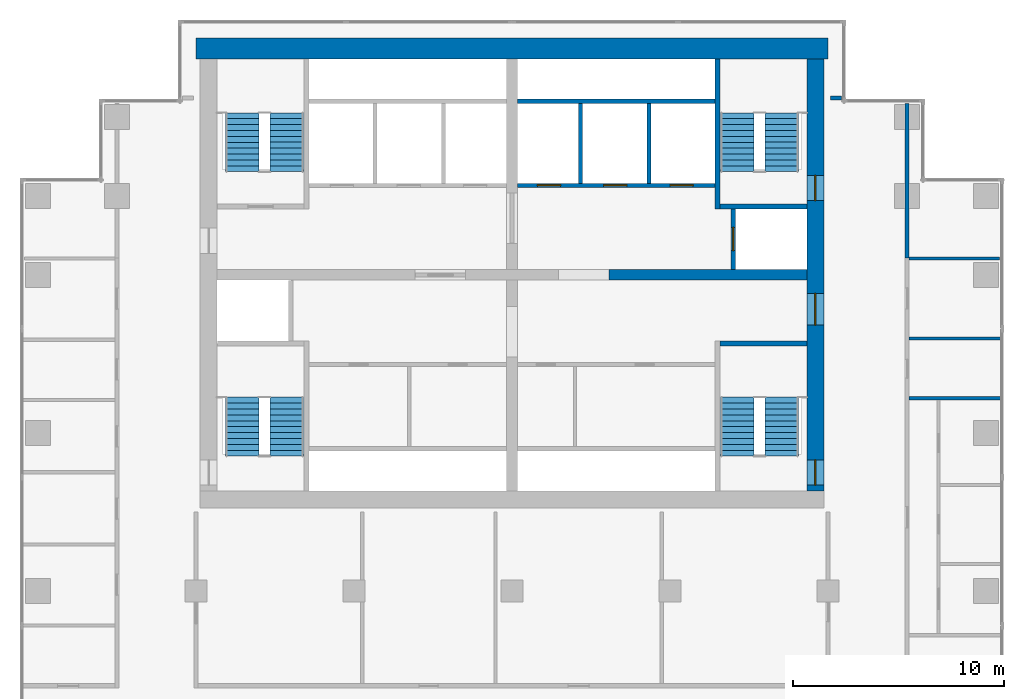
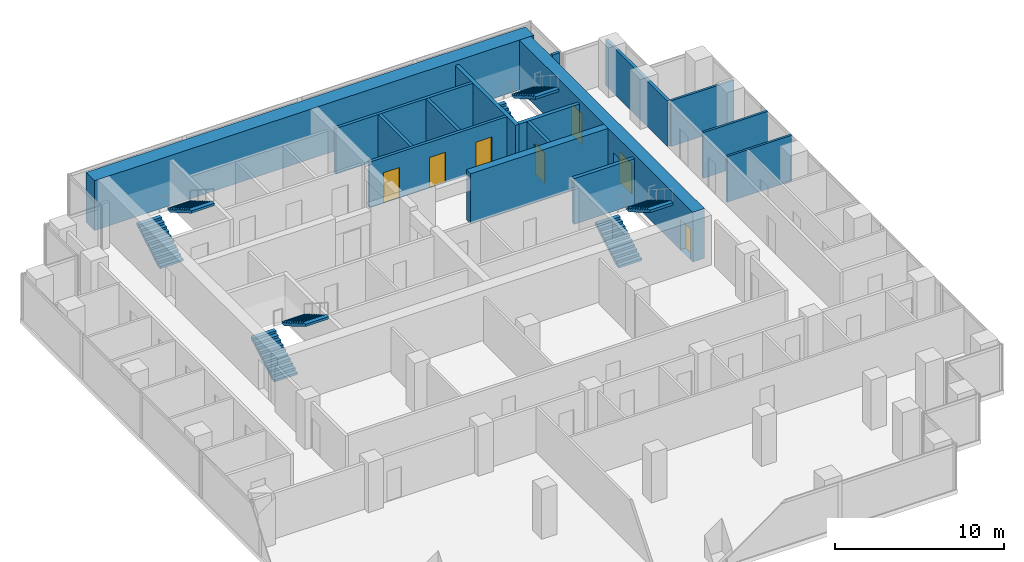
# One storey, part 9 of 10: 16 walls, 8 stair flights, 7 doors, 7 openings, 4 elements without a shape of their own.
"""IFC4 building model written with IfcOpenShell, lengths in metres."""

from ifc_helpers import new_model, si_unit, direction, frame, frame_2d, origin, place, context, subcontext, project, spatial, polyline, rectangle, outline, extrude, material, layer, layer_set, type_object, element, fill, aggregate, save


model = new_model("IFC4")

# Units and contexts
model_context = context("Model", 3, precision=1e-05, world=origin(), true_north=direction((0.0, 1.0)))
body_context = subcontext(model_context, "Body", "Model", "MODEL_VIEW")
ifc_project = project(units=[si_unit("LENGTHUNIT", "METRE"), si_unit("AREAUNIT", "SQUARE_METRE"), si_unit("VOLUMEUNIT", "CUBIC_METRE"), si_unit("PLANEANGLEUNIT", "RADIAN"), si_unit("MASSUNIT", "GRAM", prefix="KILO")], contexts=[model_context])

# Site, building, storey
site_placement = place(None, origin())
site = spatial("IfcSite", under=ifc_project, at=site_placement, CompositionType="ELEMENT")
building_placement = place(site_placement, origin())
building = spatial("IfcBuilding", under=site, at=building_placement, Name="Pilkhan Gate Tower", CompositionType="ELEMENT")
storey_placement = place(building_placement, frame((0.0, 0.0, 165.699951171875)))
storey = spatial("IfcBuildingStorey", under=building, at=storey_placement, Name="L42", CompositionType="ELEMENT", Elevation=165.699951171875)

# Wall
ifc_material_1 = material(Name="Concrete C60/75", Category="concrete")
ifc_layer_1 = layer(ifc_material_1, 1.0)
ifc_layer_set_1 = layer_set([ifc_layer_1], Name="Core wall CW1000 C60/75")
wall_type_1 = type_object("IfcWallType", Name="Core wall CW1000 C60/75", PredefinedType="SHEAR", material=ifc_layer_set_1)
wall_1_placement = place(storey_placement, frame((90.0, 93.25, 0.0), z_axis=(0.0, 0.0, 1.0), x_axis=(-1.0, 0.0, 0.0)))
element("IfcWall", 1, at=wall_1_placement, inside=storey, type_object=wall_type_1, Name="Core wall N L42", PredefinedType="SHEAR", context=body_context, shape_type="SweptSolid", body=[
    extrude(rectangle(XDim=30.0, YDim=1.0, at=frame_2d((15.0, 0.0))), origin(), (0.0, 0.0, 1.0), 3.60009765625),
])

# Wall, openings, doors
ifc_layer_2 = layer(ifc_material_1, 0.800048828125)
ifc_layer_set_2 = layer_set([ifc_layer_2], Name="Core wall CW800 C60/75")
wall_type_2 = type_object("IfcWallType", Name="Core wall CW800 C60/75", PredefinedType="SHEAR", material=ifc_layer_set_2)
wall_2_placement = place(storey_placement, frame((89.39990234375, 72.25, 0.0), z_axis=(0.0, 0.0, 1.0), x_axis=(0.0, 1.0, 0.0)))
wall_2 = element("IfcWall", 2, at=wall_2_placement, inside=storey, type_object=wall_type_2, Name="Core wall E L42", PredefinedType="SHEAR", context=body_context, shape_type="SweptSolid", body=[
    extrude(rectangle(XDim=20.5, YDim=0.800048828125, at=frame_2d((10.25, 0.0))), origin(), (0.0, 0.0, 1.0), 3.60009765625),
])
opening_1_placement = place(wall_2_placement, frame((0.27490234375, 0.0, 0.0)))
opening_1 = element("IfcOpeningElement", 3, at=opening_1_placement, cuts=wall_2, Name="Opening L42-03", PredefinedType="OPENING", context=body_context, shape_type="SweptSolid", body=[
    extrude(rectangle(XDim=1.199951171875, YDim=2.199951171875, at=frame_2d((0.60009765625, 1.10009765625))), frame((0.0, 0.409912109375, 0.0), z_axis=(0.0, -1.0, 0.0), x_axis=(1.0, 0.0, 0.0)), (0.0, 0.0, 1.0), 0.820068359375),
])
opening_2_placement = place(wall_2_placement, frame((13.77490234375, 0.0, 0.0)))
opening_2 = element("IfcOpeningElement", 4, at=opening_2_placement, cuts=wall_2, Name="Opening L42-05", PredefinedType="OPENING", context=body_context, shape_type="SweptSolid", body=[
    extrude(rectangle(XDim=1.199951171875, YDim=2.199951171875, at=frame_2d((0.60009765625, 1.10009765625))), frame((0.0, 0.409912109375, 0.0), z_axis=(0.0, -1.0, 0.0), x_axis=(1.0, 0.0, 0.0)), (0.0, 0.0, 1.0), 0.820068359375),
])
opening_3_placement = place(wall_2_placement, frame((7.875, 0.0, 0.0)))
opening_3 = element("IfcOpeningElement", 5, at=opening_3_placement, cuts=wall_2, Name="Opening L42-12", PredefinedType="OPENING", context=body_context, shape_type="SweptSolid", body=[
    extrude(rectangle(XDim=1.5, YDim=2.199951171875, at=frame_2d((0.75, 1.10009765625))), frame((0.0, 0.409912109375, 0.0), z_axis=(0.0, -1.0, 0.0), x_axis=(1.0, 0.0, 0.0)), (0.0, 0.0, 1.0), 0.820068359375),
])
ifc_material_2 = material(Name="Steel framed glazed door, 60 minute fire resisting", Category="steel")
door_type_1 = type_object("IfcDoorType", Name="Lobby door D09 1500x2200", OperationType="DOUBLE_DOOR_SINGLE_SWING", PredefinedType="DOOR", material=ifc_material_2)
door_1_placement = place(opening_3_placement, origin())
door_1 = element("IfcDoor", 6, at=door_1_placement, inside=storey, type_object=door_type_1, Name="Core door", OperationType="DOUBLE_DOOR_SINGLE_SWING", OverallHeight=2.199951171875, OverallWidth=1.5, PredefinedType="DOOR", context=body_context, shape_type="SweptSolid", body=[
    extrude(rectangle(XDim=1.5, YDim=2.199951171875, at=frame_2d((0.75, 1.10009765625))), frame((0.0, 0.02490234375, 0.0), z_axis=(0.0, -1.0, 0.0), x_axis=(1.0, 0.0, 0.0)), (0.0, 0.0, 1.0), 0.050048828125),
])
fill(opening_3, door_1)
ifc_material_3 = material(Name="Steel door, 120 minute fire resisting, panic bar", Category="steel")
door_type_2 = type_object("IfcDoorType", Name="Stair door D11 1200x2200", OperationType="SINGLE_SWING_LEFT", PredefinedType="DOOR", material=ifc_material_3)
door_2_placement = place(opening_1_placement, origin())
door_2 = element("IfcDoor", 7, at=door_2_placement, inside=storey, type_object=door_type_2, Name="Stair ST1 door", OperationType="SINGLE_SWING_LEFT", OverallHeight=2.199951171875, OverallWidth=1.199951171875, PredefinedType="DOOR", context=body_context, shape_type="SweptSolid", body=[
    extrude(rectangle(XDim=1.199951171875, YDim=2.199951171875, at=frame_2d((0.60009765625, 1.10009765625))), frame((0.0, 0.02490234375, 0.0), z_axis=(0.0, -1.0, 0.0), x_axis=(1.0, 0.0, 0.0)), (0.0, 0.0, 1.0), 0.050048828125),
])
fill(opening_1, door_2)
door_3_placement = place(opening_2_placement, origin())
door_3 = element("IfcDoor", 8, at=door_3_placement, inside=storey, type_object=door_type_2, Name="Stair ST4 door", OperationType="SINGLE_SWING_LEFT", OverallHeight=2.199951171875, OverallWidth=1.199951171875, PredefinedType="DOOR", context=body_context, shape_type="SweptSolid", body=[
    extrude(rectangle(XDim=1.199951171875, YDim=2.199951171875, at=frame_2d((0.60009765625, 1.10009765625))), frame((0.0, 0.02490234375, 0.0), z_axis=(0.0, -1.0, 0.0), x_axis=(1.0, 0.0, 0.0)), (0.0, 0.0, 1.0), 0.050048828125),
])
fill(opening_2, door_3)

# Walls
ifc_material_4 = material(Name="Dense blockwork", Category="masonry")
ifc_layer_3 = layer(ifc_material_4, 0.199951171875)
ifc_layer_set_3 = layer_set([ifc_layer_3], Name="Corridor wall FW200")
wall_type_3 = type_object("IfcWallType", Name="Corridor wall FW200", PredefinedType="PARTITIONING", material=ifc_layer_set_3)
wall_3_placement = place(storey_placement, frame((90.1201171875, 90.89990234375, 0.0), z_axis=(0.0, 0.0, 1.0), x_axis=(1.0, 0.0, 0.0)))
element("IfcWall", 9, at=wall_3_placement, inside=storey, type_object=wall_type_3, Name="Partition L42", PredefinedType="PARTITIONING", context=body_context, shape_type="SweptSolid", body=[
    extrude(rectangle(XDim=0.52490234375, YDim=0.199951171875, at=frame_2d((0.262451171875, 0.0))), origin(), (0.0, 0.0, 1.0), 3.300048828125),
])
wall_4_placement = place(storey_placement, frame((93.75, 83.31005859375, 0.0), z_axis=(0.0, 0.0, 1.0), x_axis=(0.0, 1.0, 0.0)))
element("IfcWall", 10, at=wall_4_placement, inside=storey, type_object=wall_type_3, Name="Partition L42", PredefinedType="PARTITIONING", context=body_context, shape_type="SweptSolid", body=[
    extrude(rectangle(XDim=7.3349609375, YDim=0.199951171875, at=frame_2d((3.66748046875, 0.0))), origin(), (0.0, 0.0, 1.0), 3.300048828125),
])
ifc_material_5 = material(Name="Blockwork partition, plastered both sides", Category="masonry")
ifc_layer_4 = layer(ifc_material_5, 0.14990234375)
ifc_layer_set_4 = layer_set([ifc_layer_4], Name="Partition PW150")
wall_type_4 = type_object("IfcWallType", Name="Partition PW150", PredefinedType="PARTITIONING", material=ifc_layer_set_4)
for number, where, z_axis, x_axis, name in (
    (11, (93.85009765625, 76.64990234375, 0.0), (0.0, 0.0, 1.0), (1.0, 0.0, 0.0), "Partition L42"),
    (12, (93.85009765625, 79.490966796875, 0.0), (0.0, 0.0, 1.0), (1.0, 0.0, 0.0), "Partition L42"),
):
    element("IfcWall", number, at=place(storey_placement, frame(where, z_axis=z_axis, x_axis=x_axis)), inside=storey, type_object=wall_type_4, Name=name, PredefinedType="PARTITIONING", context=body_context, shape_type="SweptSolid", body=[
        extrude(rectangle(XDim=4.414794921875, YDim=0.14990234375, at=frame_2d((2.20751953125, 0.0))), origin(), (0.0, 0.0, 1.0), 3.300048828125),
    ])
wall_5_placement = place(storey_placement, frame((93.85009765625, 83.280029296875, 0.0), z_axis=(0.0, 0.0, 1.0), x_axis=(1.0, 0.0, 0.0)))
element("IfcWall", 13, at=wall_5_placement, inside=storey, type_object=wall_type_4, Name="Partition L42", PredefinedType="PARTITIONING", context=body_context, shape_type="SweptSolid", body=[
    extrude(rectangle(XDim=4.294921875, YDim=0.14990234375, at=frame_2d((2.1474609375, 0.0))), origin(), (0.0, 0.0, 1.0), 3.300048828125),
])

# Wall, openings, doors
ifc_material_6 = material(Name="Reinforced blockwork shaft wall, 120 minute fire resisting", Category="masonry")
ifc_layer_5 = layer(ifc_material_6, 0.199951171875)
ifc_layer_set_5 = layer_set([ifc_layer_5], Name="Shaft wall SW200")
wall_type_5 = type_object("IfcWallType", Name="Shaft wall SW200", PredefinedType="PARTITIONING", material=ifc_layer_set_5)
wall_6_placement = place(storey_placement, frame((75.260009765625, 86.75, 0.0), z_axis=(0.0, 0.0, 1.0), x_axis=(1.0, 0.0, 0.0)))
wall_6 = element("IfcWall", 14, at=wall_6_placement, inside=storey, type_object=wall_type_5, Name="Partition L42", PredefinedType="PARTITIONING", context=body_context, shape_type="SweptSolid", body=[
    extrude(rectangle(XDim=9.364990234375, YDim=0.199951171875, at=frame_2d((4.6826171875, 0.0))), origin(), (0.0, 0.0, 1.0), 3.300048828125),
])
opening_4_placement = place(wall_6_placement, frame((0.949951171875, 0.0, 0.0)))
opening_4 = element("IfcOpeningElement", 15, at=opening_4_placement, cuts=wall_6, Name="Opening LD", PredefinedType="OPENING", context=body_context, shape_type="SweptSolid", body=[
    extrude(rectangle(XDim=1.10009765625, YDim=2.199951171875, at=frame_2d((0.550048828125, 1.10009765625))), frame((0.0, 0.10986328125, 0.0), z_axis=(0.0, -1.0, 0.0), x_axis=(1.0, 0.0, 0.0)), (0.0, 0.0, 1.0), 0.219970703125),
])
opening_5_placement = place(wall_6_placement, frame((4.090087890625, 0.0, 0.0)))
opening_5 = element("IfcOpeningElement", 16, at=opening_5_placement, cuts=wall_6, Name="Opening LD", PredefinedType="OPENING", context=body_context, shape_type="SweptSolid", body=[
    extrude(rectangle(XDim=1.10009765625, YDim=2.199951171875, at=frame_2d((0.550048828125, 1.10009765625))), frame((0.0, 0.10986328125, 0.0), z_axis=(0.0, -1.0, 0.0), x_axis=(1.0, 0.0, 0.0)), (0.0, 0.0, 1.0), 0.219970703125),
])
opening_6_placement = place(wall_6_placement, frame((7.239990234375, 0.0, 0.0)))
opening_6 = element("IfcOpeningElement", 17, at=opening_6_placement, cuts=wall_6, Name="Opening LD", PredefinedType="OPENING", context=body_context, shape_type="SweptSolid", body=[
    extrude(rectangle(XDim=1.10009765625, YDim=2.199951171875, at=frame_2d((0.550048828125, 1.10009765625))), frame((0.0, 0.10986328125, 0.0), z_axis=(0.0, -1.0, 0.0), x_axis=(1.0, 0.0, 0.0)), (0.0, 0.0, 1.0), 0.219970703125),
])
ifc_material_7 = material(Name="Stainless steel centre-opening landing door, 120 minute fire resisting", Category="steel")
door_type_3 = type_object("IfcDoorType", Name="Lift landing door LD 1100x2200", OperationType="DOUBLE_DOOR_SLIDING", PredefinedType="DOOR", material=ifc_material_7)
door_4_placement = place(opening_4_placement, origin())
door_4 = element("IfcDoor", 18, at=door_4_placement, inside=storey, type_object=door_type_3, Name="Landing door HR1", OperationType="DOUBLE_DOOR_SLIDING", OverallHeight=2.199951171875, OverallWidth=1.10009765625, PredefinedType="DOOR", context=body_context, shape_type="SweptSolid", body=[
    extrude(rectangle(XDim=1.10009765625, YDim=2.199951171875, at=frame_2d((0.550048828125, 1.10009765625))), frame((0.0, 0.02490234375, 0.0), z_axis=(0.0, -1.0, 0.0), x_axis=(1.0, 0.0, 0.0)), (0.0, 0.0, 1.0), 0.050048828125),
])
fill(opening_4, door_4)
door_5_placement = place(opening_5_placement, origin())
door_5 = element("IfcDoor", 19, at=door_5_placement, inside=storey, type_object=door_type_3, Name="Landing door HR2", OperationType="DOUBLE_DOOR_SLIDING", OverallHeight=2.199951171875, OverallWidth=1.10009765625, PredefinedType="DOOR", context=body_context, shape_type="SweptSolid", body=[
    extrude(rectangle(XDim=1.10009765625, YDim=2.199951171875, at=frame_2d((0.550048828125, 1.10009765625))), frame((0.0, 0.02490234375, 0.0), z_axis=(0.0, -1.0, 0.0), x_axis=(1.0, 0.0, 0.0)), (0.0, 0.0, 1.0), 0.050048828125),
])
fill(opening_5, door_5)
door_6_placement = place(opening_6_placement, origin())
door_6 = element("IfcDoor", 20, at=door_6_placement, inside=storey, type_object=door_type_3, Name="Landing door HR3", OperationType="DOUBLE_DOOR_SLIDING", OverallHeight=2.199951171875, OverallWidth=1.10009765625, PredefinedType="DOOR", context=body_context, shape_type="SweptSolid", body=[
    extrude(rectangle(XDim=1.10009765625, YDim=2.199951171875, at=frame_2d((0.550048828125, 1.10009765625))), frame((0.0, 0.02490234375, 0.0), z_axis=(0.0, -1.0, 0.0), x_axis=(1.0, 0.0, 0.0)), (0.0, 0.0, 1.0), 0.050048828125),
])
fill(opening_6, door_6)

# Walls
wall_7_placement = place(storey_placement, frame((75.260009765625, 90.75, 0.0), z_axis=(0.0, 0.0, 1.0), x_axis=(1.0, 0.0, 0.0)))
element("IfcWall", 21, at=wall_7_placement, inside=storey, type_object=wall_type_5, Name="Partition L42", PredefinedType="PARTITIONING", context=body_context, shape_type="SweptSolid", body=[
    extrude(rectangle(XDim=9.364990234375, YDim=0.199951171875, at=frame_2d((4.6826171875, 0.0))), origin(), (0.0, 0.0, 1.0), 3.300048828125),
])
for number, where, z_axis, x_axis, name in (
    (22, (78.25, 86.85009765625, 0.0), (0.0, 0.0, 1.0), (0.0, 1.0, 0.0), "Partition L42"),
    (23, (81.5, 86.85009765625, 0.0), (0.0, 0.0, 1.0), (0.0, 1.0, 0.0), "Partition L42"),
):
    element("IfcWall", number, at=place(storey_placement, frame(where, z_axis=z_axis, x_axis=x_axis)), inside=storey, type_object=wall_type_5, Name=name, PredefinedType="PARTITIONING", context=body_context, shape_type="SweptSolid", body=[
        extrude(rectangle(XDim=3.7998046875, YDim=0.199951171875, at=frame_2d((1.89990234375, 0.0))), origin(), (0.0, 0.0, 1.0), 3.300048828125),
    ])

# Wall, opening, door
wall_8_placement = place(storey_placement, frame((85.5, 82.760009765625, 0.0), z_axis=(0.0, 0.0, 1.0), x_axis=(0.0, 1.0, 0.0)))
wall_8 = element("IfcWall", 24, at=wall_8_placement, inside=storey, type_object=wall_type_5, Name="Partition L42", PredefinedType="PARTITIONING", context=body_context, shape_type="SweptSolid", body=[
    extrude(rectangle(XDim=2.864990234375, YDim=0.199951171875, at=frame_2d((1.4326171875, 0.0))), origin(), (0.0, 0.0, 1.0), 3.300048828125),
])
opening_7_placement = place(wall_8_placement, frame((0.89990234375, 0.0, 0.0)))
opening_7 = element("IfcOpeningElement", 25, at=opening_7_placement, cuts=wall_8, Name="Opening LD", PredefinedType="OPENING", context=body_context, shape_type="SweptSolid", body=[
    extrude(rectangle(XDim=1.10009765625, YDim=2.199951171875, at=frame_2d((0.550048828125, 1.10009765625))), frame((0.0, 0.10986328125, 0.0), z_axis=(0.0, -1.0, 0.0), x_axis=(1.0, 0.0, 0.0)), (0.0, 0.0, 1.0), 0.219970703125),
])
door_7_placement = place(opening_7_placement, origin())
door_7 = element("IfcDoor", 26, at=door_7_placement, inside=storey, type_object=door_type_3, Name="Landing door HR4", OperationType="DOUBLE_DOOR_SLIDING", OverallHeight=2.199951171875, OverallWidth=1.10009765625, PredefinedType="DOOR", context=body_context, shape_type="SweptSolid", body=[
    extrude(rectangle(XDim=1.10009765625, YDim=2.199951171875, at=frame_2d((0.550048828125, 1.10009765625))), frame((0.0, 0.02490234375, 0.0), z_axis=(0.0, -1.0, 0.0), x_axis=(1.0, 0.0, 0.0)), (0.0, 0.0, 1.0), 0.050048828125),
])
fill(opening_7, door_7)

# Walls
ifc_layer_6 = layer(ifc_material_1, 0.5)
ifc_layer_set_6 = layer_set([ifc_layer_6], Name="Spine wall SW500 C60/75")
wall_type_6 = type_object("IfcWallType", Name="Spine wall SW500 C60/75", PredefinedType="SHEAR", material=ifc_layer_set_6)
wall_9_placement = place(storey_placement, frame((79.60009765625, 82.5, 0.0), z_axis=(0.0, 0.0, 1.0), x_axis=(1.0, 0.0, 0.0)))
element("IfcWall", 27, at=wall_9_placement, inside=storey, type_object=wall_type_6, Name="Spine wall SP-EW3 L42", PredefinedType="SHEAR", context=body_context, shape_type="SweptSolid", body=[
    extrude(rectangle(XDim=9.39990234375, YDim=0.5, at=frame_2d((4.699951171875, 0.0))), origin(), (0.0, 0.0, 1.0), 3.60009765625),
])
ifc_material_8 = material(Name="Reinforced blockwork, 120 minute fire resisting", Category="masonry")
ifc_layer_7 = layer(ifc_material_8, 0.25)
ifc_layer_set_7 = layer_set([ifc_layer_7], Name="Stair enclosure wall SE250")
wall_type_7 = type_object("IfcWallType", Name="Stair enclosure wall SE250", PredefinedType="PARTITIONING", material=ifc_layer_set_7)
for number, where, z_axis, x_axis, name in (
    (28, (84.875, 79.25, 0.0), (0.0, 0.0, 1.0), (1.0, 0.0, 0.0), "Partition L42"),
    (29, (84.875, 85.75, 0.0), (0.0, 0.0, 1.0), (1.0, 0.0, 0.0), "Partition L42"),
):
    element("IfcWall", number, at=place(storey_placement, frame(where, z_axis=z_axis, x_axis=x_axis)), inside=storey, type_object=wall_type_7, Name=name, PredefinedType="PARTITIONING", context=body_context, shape_type="SweptSolid", body=[
        extrude(rectangle(XDim=4.125, YDim=0.25, at=frame_2d((2.0625, 0.0))), origin(), (0.0, 0.0, 1.0), 3.300048828125),
    ])
wall_10_placement = place(storey_placement, frame((84.75, 85.625, 0.0), z_axis=(0.0, 0.0, 1.0), x_axis=(0.0, 1.0, 0.0)))
element("IfcWall", 30, at=wall_10_placement, inside=storey, type_object=wall_type_7, Name="Partition L42", PredefinedType="PARTITIONING", context=body_context, shape_type="SweptSolid", body=[
    extrude(rectangle(XDim=7.114990234375, YDim=0.25, at=frame_2d((3.5576171875, 0.0))), origin(), (0.0, 0.0, 1.0), 3.300048828125),
])

# Stair, stair flights
ifc_material_9 = material(Name="Concrete C40/50 precast", Category="concrete")
stair_type_1 = type_object("IfcStairType", Name="Stair ST1 164x280", PredefinedType="HALF_TURN_STAIR", material=ifc_material_9)
stair_1_placement = place(storey_placement, origin())
stair_1 = element("IfcStair", 31, at=stair_1_placement, inside=storey, type_object=stair_type_1, Name="Stair ST1 L42", PredefinedType="HALF_TURN_STAIR")
stair_flight_type_1 = type_object("IfcStairFlightType", Name="Stair flight ST1 164x280x11", PredefinedType="STRAIGHT", material=ifc_material_9)
stair_flight_1_placement = place(storey_placement, frame((85.68994140625, 73.89990234375, 0.0), z_axis=(0.0, 0.0, 1.0), x_axis=(0.0, 1.0, 0.0)))
stair_flight_1 = element("IfcStairFlight", 32, at=stair_flight_1_placement, type_object=stair_flight_type_1, Name="ST1 flight 1", NumberOfRisers=11, NumberOfTreads=10, PredefinedType="STRAIGHT", RiserHeight=0.163636364, TreadLength=0.28, context=body_context, shape_type="SweptSolid", body=[
    extrude(outline(polyline([(0.0, 0.0), (0.0, 0.16357421875), (0.280029296875, 0.16357421875), (0.280029296875, 0.327392578125), (0.56005859375, 0.327392578125), (0.56005859375, 0.490966796875), (0.840087890625, 0.490966796875), (0.840087890625, 0.654541015625), (1.1201171875, 0.654541015625), (1.1201171875, 0.818115234375), (1.39990234375, 0.818115234375), (1.39990234375, 0.98193359375), (1.679931640625, 0.98193359375), (1.679931640625, 1.1455078125), (1.9599609375, 1.1455078125), (1.9599609375, 1.30908203125), (2.239990234375, 1.30908203125), (2.239990234375, 1.47265625), (2.52001953125, 1.47265625), (2.52001953125, 1.636474609375), (2.800048828125, 1.636474609375), (2.800048828125, 1.800048828125), (2.800048828125, 1.462646484375), (0.297119140625, 0.0), (0.0, 0.0)])), frame((0.0, 0.7900390625, 0.0), z_axis=(0.0, -1.0, 0.0), x_axis=(1.0, 0.0, 0.0)), (0.0, 0.0, 1.0), 1.580078125),
])
stair_flight_2_placement = place(storey_placement, frame((87.81005859375, 76.699951171875, 1.800048828125), z_axis=(0.0, 0.0, 1.0), x_axis=(0.0, -1.0, 0.0)))
stair_flight_2 = element("IfcStairFlight", 33, at=stair_flight_2_placement, type_object=stair_flight_type_1, Name="ST1 flight 2", NumberOfRisers=11, NumberOfTreads=10, PredefinedType="STRAIGHT", RiserHeight=0.163636364, TreadLength=0.28, context=body_context, shape_type="SweptSolid", body=[
    extrude(outline(polyline([(0.0, 0.0), (0.0, 0.16357421875), (0.280029296875, 0.16357421875), (0.280029296875, 0.327392578125), (0.56005859375, 0.327392578125), (0.56005859375, 0.490966796875), (0.840087890625, 0.490966796875), (0.840087890625, 0.654541015625), (1.1201171875, 0.654541015625), (1.1201171875, 0.818115234375), (1.39990234375, 0.818115234375), (1.39990234375, 0.98193359375), (1.679931640625, 0.98193359375), (1.679931640625, 1.1455078125), (1.9599609375, 1.1455078125), (1.9599609375, 1.30908203125), (2.239990234375, 1.30908203125), (2.239990234375, 1.47265625), (2.52001953125, 1.47265625), (2.52001953125, 1.636474609375), (2.800048828125, 1.636474609375), (2.800048828125, 1.800048828125), (2.800048828125, 1.462646484375), (0.297119140625, 0.0), (0.0, 0.0)])), frame((0.0, 0.7900390625, 0.0), z_axis=(0.0, -1.0, 0.0), x_axis=(1.0, 0.0, 0.0)), (0.0, 0.0, 1.0), 1.580078125),
])
aggregate(stair_1, [stair_flight_1, stair_flight_2])

stair_type_2 = type_object("IfcStairType", Name="Stair ST2 164x280", PredefinedType="HALF_TURN_STAIR", material=ifc_material_9)
stair_2_placement = place(storey_placement, origin())
stair_2 = element("IfcStair", 34, at=stair_2_placement, inside=storey, type_object=stair_type_2, Name="Stair ST2 L42", PredefinedType="HALF_TURN_STAIR")
stair_flight_type_2 = type_object("IfcStairFlightType", Name="Stair flight ST2 164x280x11", PredefinedType="STRAIGHT", material=ifc_material_9)
stair_flight_3_placement = place(storey_placement, frame((62.18994140625, 73.89990234375, 0.0), z_axis=(0.0, 0.0, 1.0), x_axis=(0.0, 1.0, 0.0)))
stair_flight_3 = element("IfcStairFlight", 35, at=stair_flight_3_placement, type_object=stair_flight_type_2, Name="ST2 flight 1", NumberOfRisers=11, NumberOfTreads=10, PredefinedType="STRAIGHT", RiserHeight=0.163636364, TreadLength=0.28, context=body_context, shape_type="SweptSolid", body=[
    extrude(outline(polyline([(0.0, 0.0), (0.0, 0.16357421875), (0.280029296875, 0.16357421875), (0.280029296875, 0.327392578125), (0.56005859375, 0.327392578125), (0.56005859375, 0.490966796875), (0.840087890625, 0.490966796875), (0.840087890625, 0.654541015625), (1.1201171875, 0.654541015625), (1.1201171875, 0.818115234375), (1.39990234375, 0.818115234375), (1.39990234375, 0.98193359375), (1.679931640625, 0.98193359375), (1.679931640625, 1.1455078125), (1.9599609375, 1.1455078125), (1.9599609375, 1.30908203125), (2.239990234375, 1.30908203125), (2.239990234375, 1.47265625), (2.52001953125, 1.47265625), (2.52001953125, 1.636474609375), (2.800048828125, 1.636474609375), (2.800048828125, 1.800048828125), (2.800048828125, 1.462646484375), (0.297119140625, 0.0), (0.0, 0.0)])), frame((0.0, 0.7900390625, 0.0), z_axis=(0.0, -1.0, 0.0), x_axis=(1.0, 0.0, 0.0)), (0.0, 0.0, 1.0), 1.580078125),
])
stair_flight_4_placement = place(storey_placement, frame((64.31005859375, 76.699951171875, 1.800048828125), z_axis=(0.0, 0.0, 1.0), x_axis=(0.0, -1.0, 0.0)))
stair_flight_4 = element("IfcStairFlight", 36, at=stair_flight_4_placement, type_object=stair_flight_type_2, Name="ST2 flight 2", NumberOfRisers=11, NumberOfTreads=10, PredefinedType="STRAIGHT", RiserHeight=0.163636364, TreadLength=0.28, context=body_context, shape_type="SweptSolid", body=[
    extrude(outline(polyline([(0.0, 0.0), (0.0, 0.16357421875), (0.280029296875, 0.16357421875), (0.280029296875, 0.327392578125), (0.56005859375, 0.327392578125), (0.56005859375, 0.490966796875), (0.840087890625, 0.490966796875), (0.840087890625, 0.654541015625), (1.1201171875, 0.654541015625), (1.1201171875, 0.818115234375), (1.39990234375, 0.818115234375), (1.39990234375, 0.98193359375), (1.679931640625, 0.98193359375), (1.679931640625, 1.1455078125), (1.9599609375, 1.1455078125), (1.9599609375, 1.30908203125), (2.239990234375, 1.30908203125), (2.239990234375, 1.47265625), (2.52001953125, 1.47265625), (2.52001953125, 1.636474609375), (2.800048828125, 1.636474609375), (2.800048828125, 1.800048828125), (2.800048828125, 1.462646484375), (0.297119140625, 0.0), (0.0, 0.0)])), frame((0.0, 0.7900390625, 0.0), z_axis=(0.0, -1.0, 0.0), x_axis=(1.0, 0.0, 0.0)), (0.0, 0.0, 1.0), 1.580078125),
])
aggregate(stair_2, [stair_flight_3, stair_flight_4])

stair_type_3 = type_object("IfcStairType", Name="Stair ST3 164x280", PredefinedType="HALF_TURN_STAIR", material=ifc_material_9)
stair_3_placement = place(storey_placement, origin())
stair_3 = element("IfcStair", 37, at=stair_3_placement, inside=storey, type_object=stair_type_3, Name="Stair ST3 L42", PredefinedType="HALF_TURN_STAIR")
stair_flight_type_3 = type_object("IfcStairFlightType", Name="Stair flight ST3 164x280x11", PredefinedType="STRAIGHT", material=ifc_material_9)
stair_flight_5_placement = place(storey_placement, frame((62.18994140625, 87.39990234375, 0.0), z_axis=(0.0, 0.0, 1.0), x_axis=(0.0, 1.0, 0.0)))
stair_flight_5 = element("IfcStairFlight", 38, at=stair_flight_5_placement, type_object=stair_flight_type_3, Name="ST3 flight 1", NumberOfRisers=11, NumberOfTreads=10, PredefinedType="STRAIGHT", RiserHeight=0.163636364, TreadLength=0.28, context=body_context, shape_type="SweptSolid", body=[
    extrude(outline(polyline([(0.0, 0.0), (0.0, 0.16357421875), (0.280029296875, 0.16357421875), (0.280029296875, 0.327392578125), (0.56005859375, 0.327392578125), (0.56005859375, 0.490966796875), (0.840087890625, 0.490966796875), (0.840087890625, 0.654541015625), (1.1201171875, 0.654541015625), (1.1201171875, 0.818115234375), (1.39990234375, 0.818115234375), (1.39990234375, 0.98193359375), (1.679931640625, 0.98193359375), (1.679931640625, 1.1455078125), (1.9599609375, 1.1455078125), (1.9599609375, 1.30908203125), (2.239990234375, 1.30908203125), (2.239990234375, 1.47265625), (2.52001953125, 1.47265625), (2.52001953125, 1.636474609375), (2.800048828125, 1.636474609375), (2.800048828125, 1.800048828125), (2.800048828125, 1.462646484375), (0.297119140625, 0.0), (0.0, 0.0)])), frame((0.0, 0.7900390625, 0.0), z_axis=(0.0, -1.0, 0.0), x_axis=(1.0, 0.0, 0.0)), (0.0, 0.0, 1.0), 1.580078125),
])
stair_flight_6_placement = place(storey_placement, frame((64.31005859375, 90.199951171875, 1.800048828125), z_axis=(0.0, 0.0, 1.0), x_axis=(0.0, -1.0, 0.0)))
stair_flight_6 = element("IfcStairFlight", 39, at=stair_flight_6_placement, type_object=stair_flight_type_3, Name="ST3 flight 2", NumberOfRisers=11, NumberOfTreads=10, PredefinedType="STRAIGHT", RiserHeight=0.163636364, TreadLength=0.28, context=body_context, shape_type="SweptSolid", body=[
    extrude(outline(polyline([(0.0, 0.0), (0.0, 0.16357421875), (0.280029296875, 0.16357421875), (0.280029296875, 0.327392578125), (0.56005859375, 0.327392578125), (0.56005859375, 0.490966796875), (0.840087890625, 0.490966796875), (0.840087890625, 0.654541015625), (1.1201171875, 0.654541015625), (1.1201171875, 0.818115234375), (1.39990234375, 0.818115234375), (1.39990234375, 0.98193359375), (1.679931640625, 0.98193359375), (1.679931640625, 1.1455078125), (1.9599609375, 1.1455078125), (1.9599609375, 1.30908203125), (2.239990234375, 1.30908203125), (2.239990234375, 1.47265625), (2.52001953125, 1.47265625), (2.52001953125, 1.636474609375), (2.800048828125, 1.636474609375), (2.800048828125, 1.800048828125), (2.800048828125, 1.462646484375), (0.297119140625, 0.0), (0.0, 0.0)])), frame((0.0, 0.7900390625, 0.0), z_axis=(0.0, -1.0, 0.0), x_axis=(1.0, 0.0, 0.0)), (0.0, 0.0, 1.0), 1.580078125),
])
aggregate(stair_3, [stair_flight_5, stair_flight_6])

stair_type_4 = type_object("IfcStairType", Name="Stair ST4 164x280", PredefinedType="HALF_TURN_STAIR", material=ifc_material_9)
stair_4_placement = place(storey_placement, origin())
stair_4 = element("IfcStair", 40, at=stair_4_placement, inside=storey, type_object=stair_type_4, Name="Stair ST4 L42", PredefinedType="HALF_TURN_STAIR")
stair_flight_type_4 = type_object("IfcStairFlightType", Name="Stair flight ST4 164x280x11", PredefinedType="STRAIGHT", material=ifc_material_9)
stair_flight_7_placement = place(storey_placement, frame((85.68994140625, 87.39990234375, 0.0), z_axis=(0.0, 0.0, 1.0), x_axis=(0.0, 1.0, 0.0)))
stair_flight_7 = element("IfcStairFlight", 41, at=stair_flight_7_placement, type_object=stair_flight_type_4, Name="ST4 flight 1", NumberOfRisers=11, NumberOfTreads=10, PredefinedType="STRAIGHT", RiserHeight=0.163636364, TreadLength=0.28, context=body_context, shape_type="SweptSolid", body=[
    extrude(outline(polyline([(0.0, 0.0), (0.0, 0.16357421875), (0.280029296875, 0.16357421875), (0.280029296875, 0.327392578125), (0.56005859375, 0.327392578125), (0.56005859375, 0.490966796875), (0.840087890625, 0.490966796875), (0.840087890625, 0.654541015625), (1.1201171875, 0.654541015625), (1.1201171875, 0.818115234375), (1.39990234375, 0.818115234375), (1.39990234375, 0.98193359375), (1.679931640625, 0.98193359375), (1.679931640625, 1.1455078125), (1.9599609375, 1.1455078125), (1.9599609375, 1.30908203125), (2.239990234375, 1.30908203125), (2.239990234375, 1.47265625), (2.52001953125, 1.47265625), (2.52001953125, 1.636474609375), (2.800048828125, 1.636474609375), (2.800048828125, 1.800048828125), (2.800048828125, 1.462646484375), (0.297119140625, 0.0), (0.0, 0.0)])), frame((0.0, 0.7900390625, 0.0), z_axis=(0.0, -1.0, 0.0), x_axis=(1.0, 0.0, 0.0)), (0.0, 0.0, 1.0), 1.580078125),
])
stair_flight_8_placement = place(storey_placement, frame((87.81005859375, 90.199951171875, 1.800048828125), z_axis=(0.0, 0.0, 1.0), x_axis=(0.0, -1.0, 0.0)))
stair_flight_8 = element("IfcStairFlight", 42, at=stair_flight_8_placement, type_object=stair_flight_type_4, Name="ST4 flight 2", NumberOfRisers=11, NumberOfTreads=10, PredefinedType="STRAIGHT", RiserHeight=0.163636364, TreadLength=0.28, context=body_context, shape_type="SweptSolid", body=[
    extrude(outline(polyline([(0.0, 0.0), (0.0, 0.16357421875), (0.280029296875, 0.16357421875), (0.280029296875, 0.327392578125), (0.56005859375, 0.327392578125), (0.56005859375, 0.490966796875), (0.840087890625, 0.490966796875), (0.840087890625, 0.654541015625), (1.1201171875, 0.654541015625), (1.1201171875, 0.818115234375), (1.39990234375, 0.818115234375), (1.39990234375, 0.98193359375), (1.679931640625, 0.98193359375), (1.679931640625, 1.1455078125), (1.9599609375, 1.1455078125), (1.9599609375, 1.30908203125), (2.239990234375, 1.30908203125), (2.239990234375, 1.47265625), (2.52001953125, 1.47265625), (2.52001953125, 1.636474609375), (2.800048828125, 1.636474609375), (2.800048828125, 1.800048828125), (2.800048828125, 1.462646484375), (0.297119140625, 0.0), (0.0, 0.0)])), frame((0.0, 0.7900390625, 0.0), z_axis=(0.0, -1.0, 0.0), x_axis=(1.0, 0.0, 0.0)), (0.0, 0.0, 1.0), 1.580078125),
])
aggregate(stair_4, [stair_flight_7, stair_flight_8])

save(model, "model.ifc")
